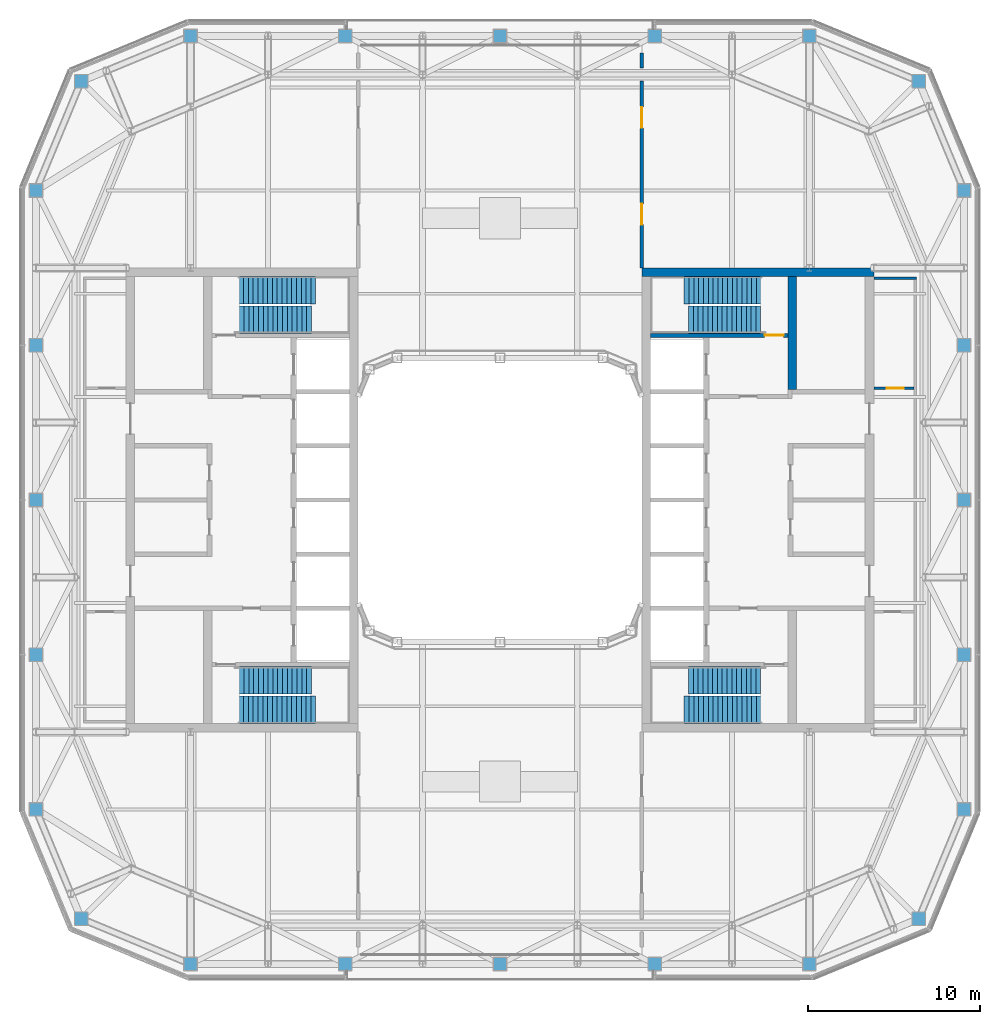
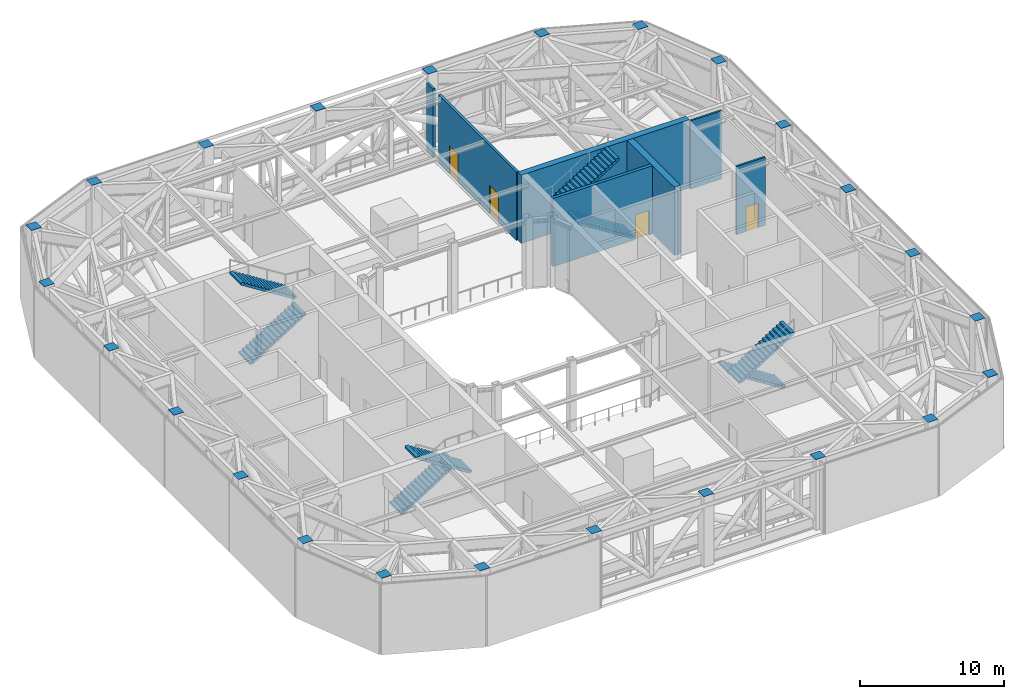
# One storey, part 13 of 21: 24 discrete accessories, 8 stair flights, 7 walls, 4 doors, 4 openings, 4 elements without a shape of their own.
"""IFC4 building model written with IfcOpenShell, lengths in metres."""

from ifc_helpers import new_model, si_unit, direction, frame, frame_2d, origin, origin_2d, place, context, subcontext, project, spatial, polyline, rectangle, outline, extrude, material, layer, layer_set, type_object, element, fill, aggregate, save


model = new_model("IFC4")

# Units and contexts
model_context = context("Model", 3, precision=1e-05, world=origin(), true_north=direction((0.0, 1.0)))
body_context = subcontext(model_context, "Body", "Model", "MODEL_VIEW")
ifc_project = project(units=[si_unit("LENGTHUNIT", "METRE"), si_unit("AREAUNIT", "SQUARE_METRE"), si_unit("VOLUMEUNIT", "CUBIC_METRE"), si_unit("PLANEANGLEUNIT", "RADIAN"), si_unit("MASSUNIT", "GRAM", prefix="KILO")], contexts=[model_context])

# Site, building, storey
site_placement = place(None, origin())
site = spatial("IfcSite", under=ifc_project, at=site_placement, CompositionType="ELEMENT")
building_placement = place(site_placement, origin())
building = spatial("IfcBuilding", under=site, at=building_placement, Name="Siwar Civic Tower", CompositionType="ELEMENT")
storey_placement = place(building_placement, frame((0.0, 0.0, 278.199951171875)))
storey = spatial("IfcBuildingStorey", under=building, at=storey_placement, Name="L60", CompositionType="ELEMENT", Elevation=278.199951171875)

# Wall, opening, door
ifc_material_1 = material(Name="Gypsum board on steel studs", Category="steel")
ifc_layer_1 = layer(ifc_material_1, 0.14990234375)
ifc_layer_set_1 = layer_set([ifc_layer_1], Name="Gypsum board on steel studs")
wall_type_1 = type_object("IfcWallType", Name="COMPARTMENT PARTITION 150 EI 60", PredefinedType="PARTITIONING", material=ifc_layer_set_1)
wall_1_placement = place(storey_placement, frame((21.75, 6.5, 0.0), z_axis=(0.0, 0.0, 1.0), x_axis=(1.0, 0.0, 0.0)))
wall_1 = element("IfcWall", 1, at=wall_1_placement, inside=storey, type_object=wall_type_1, Name="L60/wall/P06", PredefinedType="PARTITIONING", context=body_context, shape_type="SweptSolid", body=[
    extrude(rectangle(XDim=2.324951171875, YDim=0.14990234375, at=frame_2d((1.16259765625, 0.0))), origin(), (0.0, 0.0, 1.0), 5.800048828125),
])
opening_1_placement = place(wall_1_placement, frame((0.75, 0.0, 0.0)))
opening_1 = element("IfcOpeningElement", 2, at=opening_1_placement, cuts=wall_1, Name="Opening D1", PredefinedType="OPENING", context=body_context, shape_type="SweptSolid", body=[
    extrude(rectangle(XDim=1.0, YDim=2.10009765625, at=frame_2d((0.5, 1.050048828125))), frame((0.0, 0.0849609375, 0.0), z_axis=(0.0, -1.0, 0.0), x_axis=(1.0, 0.0, 0.0)), (0.0, 0.0, 1.0), 0.169921875),
])
ifc_material_2 = material(Name="Timber, painted", Category="wood")
door_type_1 = type_object("IfcDoorType", Name="DOOR 1000 X 2100 FD30", OperationType="SINGLE_SWING_LEFT", PredefinedType="DOOR", material=ifc_material_2)
door_1_placement = place(opening_1_placement, origin())
door_1 = element("IfcDoor", 3, at=door_1_placement, inside=storey, type_object=door_type_1, Name="L60-D01", OperationType="SINGLE_SWING_LEFT", OverallHeight=2.10009765625, OverallWidth=1.0, PredefinedType="DOOR", context=body_context, shape_type="SweptSolid", body=[
    extrude(rectangle(XDim=1.0, YDim=2.10009765625, at=frame_2d((0.5, 1.050048828125))), frame((0.0, 0.02490234375, 0.0), z_axis=(0.0, -1.0, 0.0), x_axis=(1.0, 0.0, 0.0)), (0.0, 0.0, 1.0), 0.050048828125),
])
fill(opening_1, door_1)

# Wall
wall_2_placement = place(storey_placement, frame((21.75, 12.89990234375, 0.0), z_axis=(0.0, 0.0, 1.0), x_axis=(1.0, 0.0, 0.0)))
element("IfcWall", 4, at=wall_2_placement, inside=storey, type_object=wall_type_1, Name="L60/wall/P08", PredefinedType="PARTITIONING", context=body_context, shape_type="SweptSolid", body=[
    extrude(rectangle(XDim=2.47509765625, YDim=0.14990234375, at=frame_2d((1.237548828125, 0.0))), origin(), (0.0, 0.0, 1.0), 5.800048828125),
])

# Wall, opening, door
ifc_material_3 = material(Name="Concrete C60/75", Category="concrete")
ifc_layer_2 = layer(ifc_material_3, 0.25)
ifc_layer_set_2 = layer_set([ifc_layer_2], Name="Concrete C60/75")
wall_type_2 = type_object("IfcWallType", Name="CORE-WALL-RC250", PredefinedType="SHEAR", material=ifc_layer_set_2)
wall_3_placement = place(storey_placement, frame((8.75, 9.574951171875, 0.0), z_axis=(0.0, 0.0, 1.0), x_axis=(1.0, 0.0, 0.0)))
wall_3 = element("IfcWall", 5, at=wall_3_placement, inside=storey, type_object=wall_type_2, Name="Core wall E", PredefinedType="SHEAR", context=body_context, shape_type="SweptSolid", body=[
    extrude(rectangle(XDim=8.0, YDim=0.25, at=frame_2d((4.0, 0.0))), origin(), (0.0, 0.0, 1.0), 5.800048828125),
])
opening_2_placement = place(wall_3_placement, frame((6.64990234375, 0.0, 0.0)))
opening_2 = element("IfcOpeningElement", 6, at=opening_2_placement, cuts=wall_3, Name="Opening L60-CE03", PredefinedType="OPENING", context=body_context, shape_type="SweptSolid", body=[
    extrude(rectangle(XDim=1.10009765625, YDim=2.10009765625, at=frame_2d((0.550048828125, 1.050048828125))), frame((0.0, 0.135009765625, 0.0), z_axis=(0.0, -1.0, 0.0), x_axis=(1.0, 0.0, 0.0)), (0.0, 0.0, 1.0), 0.27001953125),
])
ifc_material_4 = material(Name="Steel door leaf", Category="steel")
door_type_2 = type_object("IfcDoorType", Name="CORE-DOOR-FD60S", OperationType="SINGLE_SWING_LEFT", PredefinedType="DOOR", material=ifc_material_4)
door_2_placement = place(opening_2_placement, origin())
door_2 = element("IfcDoor", 7, at=door_2_placement, inside=storey, type_object=door_type_2, Name="Stair door L60-CE03", OperationType="SINGLE_SWING_LEFT", OverallHeight=2.10009765625, OverallWidth=1.10009765625, PredefinedType="DOOR", context=body_context, shape_type="SweptSolid", body=[
    extrude(rectangle(XDim=1.10009765625, YDim=2.10009765625, at=frame_2d((0.550048828125, 1.050048828125))), frame((0.0, 0.02490234375, 0.0), z_axis=(0.0, -1.0, 0.0), x_axis=(1.0, 0.0, 0.0)), (0.0, 0.0, 1.0), 0.050048828125),
])
fill(opening_2, door_2)

# Walls
ifc_material_5 = material(Name="Concrete C60/75", Category="concrete")
ifc_layer_3 = layer(ifc_material_5, 0.5)
ifc_layer_set_3 = layer_set([ifc_layer_3], Name="Concrete C60/75")
wall_type_3 = type_object("IfcWallType", Name="CORE-WALL-RC500", PredefinedType="SHEAR", material=ifc_layer_set_3)
wall_4_placement = place(storey_placement, frame((17.0, 6.425048828125, 0.0), z_axis=(0.0, 0.0, 1.0), x_axis=(0.0, 1.0, 0.0)))
element("IfcWall", 8, at=wall_4_placement, inside=storey, type_object=wall_type_3, Name="Core wall E", PredefinedType="SHEAR", context=body_context, shape_type="SweptSolid", body=[
    extrude(rectangle(XDim=6.574951171875, YDim=0.5, at=frame_2d((3.28759765625, 0.0))), origin(), (0.0, 0.0, 1.0), 5.800048828125),
])
wall_5_placement = place(storey_placement, frame((8.25, 13.25, 0.0), z_axis=(0.0, 0.0, 1.0), x_axis=(1.0, 0.0, 0.0)))
element("IfcWall", 9, at=wall_5_placement, inside=storey, type_object=wall_type_3, Name="Core wall E", PredefinedType="SHEAR", context=body_context, shape_type="SweptSolid", body=[
    extrude(rectangle(XDim=13.5, YDim=0.5, at=frame_2d((6.75, 0.0))), origin(), (0.0, 0.0, 1.0), 5.800048828125),
])

# Wall, openings, doors
ifc_material_6 = material(Name="Aluminium clad insulated panel", Category="aluminium")
ifc_layer_4 = layer(ifc_material_6, 0.199951171875)
ifc_layer_set_4 = layer_set([ifc_layer_4], Name="Aluminium clad insulated panel")
wall_type_4 = type_object("IfcWallType", Name="ENV-PORTAL WALL", PredefinedType="STANDARD", material=ifc_layer_set_4)
wall_6_placement = place(storey_placement, frame((8.25, 13.5, 0.0), z_axis=(0.0, 0.0, 1.0), x_axis=(0.0, 1.0, 0.0)))
wall_6 = element("IfcWall", 10, at=wall_6_placement, inside=storey, type_object=wall_type_4, Name="Sky portal closing wall NE", PredefinedType="STANDARD", context=body_context, shape_type="SweptSolid", body=[
    extrude(rectangle(XDim=10.864990234375, YDim=0.199951171875, at=frame_2d((5.4326171875, 0.0))), origin(), (0.0, 0.0, 1.0), 5.800048828125),
])
opening_3_placement = place(wall_6_placement, frame((2.52490234375, 0.0, 0.0)))
opening_3 = element("IfcOpeningElement", 11, at=opening_3_placement, cuts=wall_6, Name="Opening D-PT", PredefinedType="OPENING", context=body_context, shape_type="SweptSolid", body=[
    extrude(rectangle(XDim=1.199951171875, YDim=2.39990234375, at=frame_2d((0.60009765625, 1.199951171875))), frame((0.0, 0.10986328125, 0.0), z_axis=(0.0, -1.0, 0.0), x_axis=(1.0, 0.0, 0.0)), (0.0, 0.0, 1.0), 0.219970703125),
])
opening_4_placement = place(wall_6_placement, frame((8.14990234375, 0.0, 0.0)))
opening_4 = element("IfcOpeningElement", 12, at=opening_4_placement, cuts=wall_6, Name="Opening D-PT", PredefinedType="OPENING", context=body_context, shape_type="SweptSolid", body=[
    extrude(rectangle(XDim=1.199951171875, YDim=2.39990234375, at=frame_2d((0.60009765625, 1.199951171875))), frame((0.0, 0.10986328125, 0.0), z_axis=(0.0, -1.0, 0.0), x_axis=(1.0, 0.0, 0.0)), (0.0, 0.0, 1.0), 0.219970703125),
])
ifc_material_7 = material(Name="Aluminium and glass", Category="aluminium")
door_type_3 = type_object("IfcDoorType", Name="ENV-DOOR-PORTAL", OperationType="DOUBLE_DOOR_SINGLE_SWING", PredefinedType="DOOR", material=ifc_material_7)
door_3_placement = place(opening_3_placement, origin())
door_3 = element("IfcDoor", 13, at=door_3_placement, inside=storey, type_object=door_type_3, Name="Sky portal door NE 1", OperationType="DOUBLE_DOOR_SINGLE_SWING", OverallHeight=2.39990234375, OverallWidth=1.199951171875, PredefinedType="DOOR", context=body_context, shape_type="SweptSolid", body=[
    extrude(rectangle(XDim=1.199951171875, YDim=2.39990234375, at=frame_2d((0.60009765625, 1.199951171875))), frame((0.0, 0.02490234375, 0.0), z_axis=(0.0, -1.0, 0.0), x_axis=(1.0, 0.0, 0.0)), (0.0, 0.0, 1.0), 0.050048828125),
])
fill(opening_3, door_3)
door_4_placement = place(opening_4_placement, origin())
door_4 = element("IfcDoor", 14, at=door_4_placement, inside=storey, type_object=door_type_3, Name="Sky portal door NE 2", OperationType="DOUBLE_DOOR_SINGLE_SWING", OverallHeight=2.39990234375, OverallWidth=1.199951171875, PredefinedType="DOOR", context=body_context, shape_type="SweptSolid", body=[
    extrude(rectangle(XDim=1.199951171875, YDim=2.39990234375, at=frame_2d((0.60009765625, 1.199951171875))), frame((0.0, 0.02490234375, 0.0), z_axis=(0.0, -1.0, 0.0), x_axis=(1.0, 0.0, 0.0)), (0.0, 0.0, 1.0), 0.050048828125),
])
fill(opening_4, door_4)

# Wall
wall_7_placement = place(storey_placement, frame((8.25, 25.135009765625, 0.0), z_axis=(0.0, 0.0, 1.0), x_axis=(0.0, 1.0, 0.0)))
element("IfcWall", 15, at=wall_7_placement, inside=storey, type_object=wall_type_4, Name="Sky portal closing wall NE", PredefinedType="STANDARD", context=body_context, shape_type="SweptSolid", body=[
    extrude(rectangle(XDim=0.864990234375, YDim=0.199951171875, at=frame_2d((0.4326171875, 0.0))), origin(), (0.0, 0.0, 1.0), 5.800048828125),
])

# Stair, stair flights
ifc_material_8 = material(Name="Concrete C40/50", Category="concrete")
stair_type = type_object("IfcStairType", Name="CORE-STAIR", PredefinedType="TWO_STRAIGHT_RUN_STAIR", material=ifc_material_8)
stair_1_placement = place(storey_placement, origin())
stair_1 = element("IfcStair", 16, at=stair_1_placement, inside=storey, type_object=stair_type, Name="Exit stair ST1", PredefinedType="TWO_STRAIGHT_RUN_STAIR")
ifc_material_9 = material(Name="Concrete C40/50", Category="concrete")
stair_flight_type = type_object("IfcStairFlightType", Name="CORE-STAIR-FLIGHT", PredefinedType="STRAIGHT", material=ifc_material_9)
stair_flight_1_placement = place(storey_placement, frame((-15.449951171875, 10.5, 0.0), z_axis=(0.0, 0.0, 1.0), x_axis=(1.0, 0.0, 0.0)))
stair_flight_1 = element("IfcStairFlight", 17, at=stair_flight_1_placement, type_object=stair_flight_type, Name="ST1 flight 1", NumberOfRisers=17, NumberOfTreads=16, PredefinedType="STRAIGHT", RiserHeight=0.176470588, TreadLength=0.28, context=body_context, shape_type="SweptSolid", body=[
    extrude(outline(polyline([(0.0, 0.0), (0.0, 0.176513671875), (0.280029296875, 0.176513671875), (0.280029296875, 0.35302734375), (0.56005859375, 0.35302734375), (0.56005859375, 0.529296875), (0.840087890625, 0.529296875), (0.840087890625, 0.705810546875), (1.1201171875, 0.705810546875), (1.1201171875, 0.88232421875), (1.39990234375, 0.88232421875), (1.39990234375, 1.058837890625), (1.679931640625, 1.058837890625), (1.679931640625, 1.2353515625), (1.9599609375, 1.2353515625), (1.9599609375, 1.411865234375), (2.239990234375, 1.411865234375), (2.239990234375, 1.588134765625), (2.52001953125, 1.588134765625), (2.52001953125, 1.7646484375), (2.800048828125, 1.7646484375), (2.800048828125, 1.941162109375), (3.080078125, 1.941162109375), (3.080078125, 2.11767578125), (3.360107421875, 2.11767578125), (3.360107421875, 2.294189453125), (3.639892578125, 2.294189453125), (3.639892578125, 2.470703125), (3.919921875, 2.470703125), (3.919921875, 2.64697265625), (4.199951171875, 2.64697265625), (4.199951171875, 2.823486328125), (4.47998046875, 2.823486328125), (4.47998046875, 3.0), (4.47998046875, 2.646240234375), (0.28125, 0.0), (0.0, 0.0)])), frame((0.0, 0.800048828125, 0.0), z_axis=(0.0, -1.0, 0.0), x_axis=(1.0, 0.0, 0.0)), (0.0, 0.0, 1.0), 1.60009765625),
])
stair_flight_2_placement = place(storey_placement, frame((-10.719970703125, 12.199951171875, 3.0), z_axis=(0.0, 0.0, 1.0), x_axis=(-1.0, 0.0, 0.0)))
stair_flight_2 = element("IfcStairFlight", 18, at=stair_flight_2_placement, type_object=stair_flight_type, Name="ST1 flight 2", NumberOfRisers=17, NumberOfTreads=16, PredefinedType="STRAIGHT", RiserHeight=0.176470588, TreadLength=0.28, context=body_context, shape_type="SweptSolid", body=[
    extrude(outline(polyline([(0.0, 0.0), (0.0, 0.176513671875), (0.280029296875, 0.176513671875), (0.280029296875, 0.35302734375), (0.56005859375, 0.35302734375), (0.56005859375, 0.529296875), (0.840087890625, 0.529296875), (0.840087890625, 0.705810546875), (1.1201171875, 0.705810546875), (1.1201171875, 0.88232421875), (1.39990234375, 0.88232421875), (1.39990234375, 1.058837890625), (1.679931640625, 1.058837890625), (1.679931640625, 1.2353515625), (1.9599609375, 1.2353515625), (1.9599609375, 1.411865234375), (2.239990234375, 1.411865234375), (2.239990234375, 1.588134765625), (2.52001953125, 1.588134765625), (2.52001953125, 1.7646484375), (2.800048828125, 1.7646484375), (2.800048828125, 1.941162109375), (3.080078125, 1.941162109375), (3.080078125, 2.11767578125), (3.360107421875, 2.11767578125), (3.360107421875, 2.294189453125), (3.639892578125, 2.294189453125), (3.639892578125, 2.470703125), (3.919921875, 2.470703125), (3.919921875, 2.64697265625), (4.199951171875, 2.64697265625), (4.199951171875, 2.823486328125), (4.47998046875, 2.823486328125), (4.47998046875, 3.0), (4.47998046875, 2.646240234375), (0.28125, 0.0), (0.0, 0.0)])), frame((0.0, 0.800048828125, 0.0), z_axis=(0.0, -1.0, 0.0), x_axis=(1.0, 0.0, 0.0)), (0.0, 0.0, 1.0), 1.60009765625),
])
aggregate(stair_1, [stair_flight_1, stair_flight_2])

stair_2_placement = place(storey_placement, origin())
stair_2 = element("IfcStair", 19, at=stair_2_placement, inside=storey, type_object=stair_type, Name="Exit stair ST2", PredefinedType="TWO_STRAIGHT_RUN_STAIR")
stair_flight_3_placement = place(storey_placement, frame((-15.449951171875, -10.5, 0.0), z_axis=(0.0, 0.0, 1.0), x_axis=(1.0, 0.0, 0.0)))
stair_flight_3 = element("IfcStairFlight", 20, at=stair_flight_3_placement, type_object=stair_flight_type, Name="ST2 flight 1", NumberOfRisers=17, NumberOfTreads=16, PredefinedType="STRAIGHT", RiserHeight=0.176470588, TreadLength=0.28, context=body_context, shape_type="SweptSolid", body=[
    extrude(outline(polyline([(0.0, 0.0), (0.0, 0.176513671875), (0.280029296875, 0.176513671875), (0.280029296875, 0.35302734375), (0.56005859375, 0.35302734375), (0.56005859375, 0.529296875), (0.840087890625, 0.529296875), (0.840087890625, 0.705810546875), (1.1201171875, 0.705810546875), (1.1201171875, 0.88232421875), (1.39990234375, 0.88232421875), (1.39990234375, 1.058837890625), (1.679931640625, 1.058837890625), (1.679931640625, 1.2353515625), (1.9599609375, 1.2353515625), (1.9599609375, 1.411865234375), (2.239990234375, 1.411865234375), (2.239990234375, 1.588134765625), (2.52001953125, 1.588134765625), (2.52001953125, 1.7646484375), (2.800048828125, 1.7646484375), (2.800048828125, 1.941162109375), (3.080078125, 1.941162109375), (3.080078125, 2.11767578125), (3.360107421875, 2.11767578125), (3.360107421875, 2.294189453125), (3.639892578125, 2.294189453125), (3.639892578125, 2.470703125), (3.919921875, 2.470703125), (3.919921875, 2.64697265625), (4.199951171875, 2.64697265625), (4.199951171875, 2.823486328125), (4.47998046875, 2.823486328125), (4.47998046875, 3.0), (4.47998046875, 2.646240234375), (0.28125, 0.0), (0.0, 0.0)])), frame((0.0, 0.800048828125, 0.0), z_axis=(0.0, -1.0, 0.0), x_axis=(1.0, 0.0, 0.0)), (0.0, 0.0, 1.0), 1.60009765625),
])
stair_flight_4_placement = place(storey_placement, frame((-10.719970703125, -12.199951171875, 3.0), z_axis=(0.0, 0.0, 1.0), x_axis=(-1.0, 0.0, 0.0)))
stair_flight_4 = element("IfcStairFlight", 21, at=stair_flight_4_placement, type_object=stair_flight_type, Name="ST2 flight 2", NumberOfRisers=17, NumberOfTreads=16, PredefinedType="STRAIGHT", RiserHeight=0.176470588, TreadLength=0.28, context=body_context, shape_type="SweptSolid", body=[
    extrude(outline(polyline([(0.0, 0.0), (0.0, 0.176513671875), (0.280029296875, 0.176513671875), (0.280029296875, 0.35302734375), (0.56005859375, 0.35302734375), (0.56005859375, 0.529296875), (0.840087890625, 0.529296875), (0.840087890625, 0.705810546875), (1.1201171875, 0.705810546875), (1.1201171875, 0.88232421875), (1.39990234375, 0.88232421875), (1.39990234375, 1.058837890625), (1.679931640625, 1.058837890625), (1.679931640625, 1.2353515625), (1.9599609375, 1.2353515625), (1.9599609375, 1.411865234375), (2.239990234375, 1.411865234375), (2.239990234375, 1.588134765625), (2.52001953125, 1.588134765625), (2.52001953125, 1.7646484375), (2.800048828125, 1.7646484375), (2.800048828125, 1.941162109375), (3.080078125, 1.941162109375), (3.080078125, 2.11767578125), (3.360107421875, 2.11767578125), (3.360107421875, 2.294189453125), (3.639892578125, 2.294189453125), (3.639892578125, 2.470703125), (3.919921875, 2.470703125), (3.919921875, 2.64697265625), (4.199951171875, 2.64697265625), (4.199951171875, 2.823486328125), (4.47998046875, 2.823486328125), (4.47998046875, 3.0), (4.47998046875, 2.646240234375), (0.28125, 0.0), (0.0, 0.0)])), frame((0.0, 0.800048828125, 0.0), z_axis=(0.0, -1.0, 0.0), x_axis=(1.0, 0.0, 0.0)), (0.0, 0.0, 1.0), 1.60009765625),
])
aggregate(stair_2, [stair_flight_3, stair_flight_4])

stair_3_placement = place(storey_placement, origin())
stair_3 = element("IfcStair", 22, at=stair_3_placement, inside=storey, type_object=stair_type, Name="Exit stair ST3", PredefinedType="TWO_STRAIGHT_RUN_STAIR")
stair_flight_5_placement = place(storey_placement, frame((15.449951171875, 10.5, 0.0), z_axis=(0.0, 0.0, 1.0), x_axis=(-1.0, 0.0, 0.0)))
stair_flight_5 = element("IfcStairFlight", 23, at=stair_flight_5_placement, type_object=stair_flight_type, Name="ST3 flight 1", NumberOfRisers=17, NumberOfTreads=16, PredefinedType="STRAIGHT", RiserHeight=0.176470588, TreadLength=0.28, context=body_context, shape_type="SweptSolid", body=[
    extrude(outline(polyline([(0.0, 0.0), (0.0, 0.176513671875), (0.280029296875, 0.176513671875), (0.280029296875, 0.35302734375), (0.56005859375, 0.35302734375), (0.56005859375, 0.529296875), (0.840087890625, 0.529296875), (0.840087890625, 0.705810546875), (1.1201171875, 0.705810546875), (1.1201171875, 0.88232421875), (1.39990234375, 0.88232421875), (1.39990234375, 1.058837890625), (1.679931640625, 1.058837890625), (1.679931640625, 1.2353515625), (1.9599609375, 1.2353515625), (1.9599609375, 1.411865234375), (2.239990234375, 1.411865234375), (2.239990234375, 1.588134765625), (2.52001953125, 1.588134765625), (2.52001953125, 1.7646484375), (2.800048828125, 1.7646484375), (2.800048828125, 1.941162109375), (3.080078125, 1.941162109375), (3.080078125, 2.11767578125), (3.360107421875, 2.11767578125), (3.360107421875, 2.294189453125), (3.639892578125, 2.294189453125), (3.639892578125, 2.470703125), (3.919921875, 2.470703125), (3.919921875, 2.64697265625), (4.199951171875, 2.64697265625), (4.199951171875, 2.823486328125), (4.47998046875, 2.823486328125), (4.47998046875, 3.0), (4.47998046875, 2.646240234375), (0.28125, 0.0), (0.0, 0.0)])), frame((0.0, 0.800048828125, 0.0), z_axis=(0.0, -1.0, 0.0), x_axis=(1.0, 0.0, 0.0)), (0.0, 0.0, 1.0), 1.60009765625),
])
stair_flight_6_placement = place(storey_placement, frame((10.719970703125, 12.199951171875, 3.0), z_axis=(0.0, 0.0, 1.0), x_axis=(1.0, 0.0, 0.0)))
stair_flight_6 = element("IfcStairFlight", 24, at=stair_flight_6_placement, type_object=stair_flight_type, Name="ST3 flight 2", NumberOfRisers=17, NumberOfTreads=16, PredefinedType="STRAIGHT", RiserHeight=0.176470588, TreadLength=0.28, context=body_context, shape_type="SweptSolid", body=[
    extrude(outline(polyline([(0.0, 0.0), (0.0, 0.176513671875), (0.280029296875, 0.176513671875), (0.280029296875, 0.35302734375), (0.56005859375, 0.35302734375), (0.56005859375, 0.529296875), (0.840087890625, 0.529296875), (0.840087890625, 0.705810546875), (1.1201171875, 0.705810546875), (1.1201171875, 0.88232421875), (1.39990234375, 0.88232421875), (1.39990234375, 1.058837890625), (1.679931640625, 1.058837890625), (1.679931640625, 1.2353515625), (1.9599609375, 1.2353515625), (1.9599609375, 1.411865234375), (2.239990234375, 1.411865234375), (2.239990234375, 1.588134765625), (2.52001953125, 1.588134765625), (2.52001953125, 1.7646484375), (2.800048828125, 1.7646484375), (2.800048828125, 1.941162109375), (3.080078125, 1.941162109375), (3.080078125, 2.11767578125), (3.360107421875, 2.11767578125), (3.360107421875, 2.294189453125), (3.639892578125, 2.294189453125), (3.639892578125, 2.470703125), (3.919921875, 2.470703125), (3.919921875, 2.64697265625), (4.199951171875, 2.64697265625), (4.199951171875, 2.823486328125), (4.47998046875, 2.823486328125), (4.47998046875, 3.0), (4.47998046875, 2.646240234375), (0.28125, 0.0), (0.0, 0.0)])), frame((0.0, 0.800048828125, 0.0), z_axis=(0.0, -1.0, 0.0), x_axis=(1.0, 0.0, 0.0)), (0.0, 0.0, 1.0), 1.60009765625),
])
aggregate(stair_3, [stair_flight_5, stair_flight_6])

stair_4_placement = place(storey_placement, origin())
stair_4 = element("IfcStair", 25, at=stair_4_placement, inside=storey, type_object=stair_type, Name="Exit stair ST4", PredefinedType="TWO_STRAIGHT_RUN_STAIR")
stair_flight_7_placement = place(storey_placement, frame((15.449951171875, -10.5, 0.0), z_axis=(0.0, 0.0, 1.0), x_axis=(-1.0, 0.0, 0.0)))
stair_flight_7 = element("IfcStairFlight", 26, at=stair_flight_7_placement, type_object=stair_flight_type, Name="ST4 flight 1", NumberOfRisers=17, NumberOfTreads=16, PredefinedType="STRAIGHT", RiserHeight=0.176470588, TreadLength=0.28, context=body_context, shape_type="SweptSolid", body=[
    extrude(outline(polyline([(0.0, 0.0), (0.0, 0.176513671875), (0.280029296875, 0.176513671875), (0.280029296875, 0.35302734375), (0.56005859375, 0.35302734375), (0.56005859375, 0.529296875), (0.840087890625, 0.529296875), (0.840087890625, 0.705810546875), (1.1201171875, 0.705810546875), (1.1201171875, 0.88232421875), (1.39990234375, 0.88232421875), (1.39990234375, 1.058837890625), (1.679931640625, 1.058837890625), (1.679931640625, 1.2353515625), (1.9599609375, 1.2353515625), (1.9599609375, 1.411865234375), (2.239990234375, 1.411865234375), (2.239990234375, 1.588134765625), (2.52001953125, 1.588134765625), (2.52001953125, 1.7646484375), (2.800048828125, 1.7646484375), (2.800048828125, 1.941162109375), (3.080078125, 1.941162109375), (3.080078125, 2.11767578125), (3.360107421875, 2.11767578125), (3.360107421875, 2.294189453125), (3.639892578125, 2.294189453125), (3.639892578125, 2.470703125), (3.919921875, 2.470703125), (3.919921875, 2.64697265625), (4.199951171875, 2.64697265625), (4.199951171875, 2.823486328125), (4.47998046875, 2.823486328125), (4.47998046875, 3.0), (4.47998046875, 2.646240234375), (0.28125, 0.0), (0.0, 0.0)])), frame((0.0, 0.800048828125, 0.0), z_axis=(0.0, -1.0, 0.0), x_axis=(1.0, 0.0, 0.0)), (0.0, 0.0, 1.0), 1.60009765625),
])
stair_flight_8_placement = place(storey_placement, frame((10.719970703125, -12.199951171875, 3.0), z_axis=(0.0, 0.0, 1.0), x_axis=(1.0, 0.0, 0.0)))
stair_flight_8 = element("IfcStairFlight", 27, at=stair_flight_8_placement, type_object=stair_flight_type, Name="ST4 flight 2", NumberOfRisers=17, NumberOfTreads=16, PredefinedType="STRAIGHT", RiserHeight=0.176470588, TreadLength=0.28, context=body_context, shape_type="SweptSolid", body=[
    extrude(outline(polyline([(0.0, 0.0), (0.0, 0.176513671875), (0.280029296875, 0.176513671875), (0.280029296875, 0.35302734375), (0.56005859375, 0.35302734375), (0.56005859375, 0.529296875), (0.840087890625, 0.529296875), (0.840087890625, 0.705810546875), (1.1201171875, 0.705810546875), (1.1201171875, 0.88232421875), (1.39990234375, 0.88232421875), (1.39990234375, 1.058837890625), (1.679931640625, 1.058837890625), (1.679931640625, 1.2353515625), (1.9599609375, 1.2353515625), (1.9599609375, 1.411865234375), (2.239990234375, 1.411865234375), (2.239990234375, 1.588134765625), (2.52001953125, 1.588134765625), (2.52001953125, 1.7646484375), (2.800048828125, 1.7646484375), (2.800048828125, 1.941162109375), (3.080078125, 1.941162109375), (3.080078125, 2.11767578125), (3.360107421875, 2.11767578125), (3.360107421875, 2.294189453125), (3.639892578125, 2.294189453125), (3.639892578125, 2.470703125), (3.919921875, 2.470703125), (3.919921875, 2.64697265625), (4.199951171875, 2.64697265625), (4.199951171875, 2.823486328125), (4.47998046875, 2.823486328125), (4.47998046875, 3.0), (4.47998046875, 2.646240234375), (0.28125, 0.0), (0.0, 0.0)])), frame((0.0, 0.800048828125, 0.0), z_axis=(0.0, -1.0, 0.0), x_axis=(1.0, 0.0, 0.0)), (0.0, 0.0, 1.0), 1.60009765625),
])
aggregate(stair_4, [stair_flight_7, stair_flight_8])

# Discrete accessories
ifc_material_10 = material(Name="Steel S355", Category="steel")
ifc_layer_5 = layer(ifc_material_10, 0.02001953125)
ifc_layer_set_5 = layer_set([ifc_layer_5], Name="Steel S355")
discrete_accessory_type = type_object("IfcDiscreteAccessoryType", Name="STR-END-CAP", PredefinedType="USERDEFINED", material=ifc_layer_set_5)
for number, where, z_axis, x_axis, name in (
    (28, (-18.0, -27.0, 6.0), (0.0, 0.0, 1.0), (1.0, 0.0, 0.0), "End cap plate L60 col S-0"),
    (29, (-9.0, -27.0, 6.0), (0.0, 0.0, 1.0), (1.0, 0.0, 0.0), "End cap plate L60 col S-1"),
    (30, (0.0, -27.0, 6.0), (0.0, 0.0, 1.0), (1.0, 0.0, 0.0), "End cap plate L60 col S-2"),
    (31, (9.0, -27.0, 6.0), (0.0, 0.0, 1.0), (1.0, 0.0, 0.0), "End cap plate L60 col S-3"),
    (32, (18.0, -27.0, 6.0), (0.0, 0.0, 1.0), (1.0, 0.0, 0.0), "End cap plate L60 col SE1-0"),
    (33, (24.364013671875, -24.364013671875, 6.0), (0.0, 0.0, 1.0), (1.0, 0.0, 0.0), "End cap plate L60 col SE2-0"),
    (34, (27.0, -18.0, 6.0), (0.0, 0.0, 1.0), (1.0, 0.0, 0.0), "End cap plate L60 col E-0"),
    (35, (27.0, -9.0, 6.0), (0.0, 0.0, 1.0), (1.0, 0.0, 0.0), "End cap plate L60 col E-1"),
    (36, (27.0, 0.0, 6.0), (0.0, 0.0, 1.0), (1.0, 0.0, 0.0), "End cap plate L60 col E-2"),
    (37, (27.0, 9.0, 6.0), (0.0, 0.0, 1.0), (1.0, 0.0, 0.0), "End cap plate L60 col E-3"),
    (38, (27.0, 18.0, 6.0), (0.0, 0.0, 1.0), (1.0, 0.0, 0.0), "End cap plate L60 col NE1-0"),
    (39, (24.364013671875, 24.364013671875, 6.0), (0.0, 0.0, 1.0), (1.0, 0.0, 0.0), "End cap plate L60 col NE2-0"),
    (40, (18.0, 27.0, 6.0), (0.0, 0.0, 1.0), (1.0, 0.0, 0.0), "End cap plate L60 col N-0"),
    (41, (9.0, 27.0, 6.0), (0.0, 0.0, 1.0), (1.0, 0.0, 0.0), "End cap plate L60 col N-1"),
    (42, (0.0, 27.0, 6.0), (0.0, 0.0, 1.0), (1.0, 0.0, 0.0), "End cap plate L60 col N-2"),
    (43, (-9.0, 27.0, 6.0), (0.0, 0.0, 1.0), (1.0, 0.0, 0.0), "End cap plate L60 col N-3"),
    (44, (-18.0, 27.0, 6.0), (0.0, 0.0, 1.0), (1.0, 0.0, 0.0), "End cap plate L60 col NW1-0"),
    (45, (-24.364013671875, 24.364013671875, 6.0), (0.0, 0.0, 1.0), (1.0, 0.0, 0.0), "End cap plate L60 col NW2-0"),
    (46, (-27.0, 18.0, 6.0), (0.0, 0.0, 1.0), (1.0, 0.0, 0.0), "End cap plate L60 col W-0"),
    (47, (-27.0, 9.0, 6.0), (0.0, 0.0, 1.0), (1.0, 0.0, 0.0), "End cap plate L60 col W-1"),
    (48, (-27.0, 0.0, 6.0), (0.0, 0.0, 1.0), (1.0, 0.0, 0.0), "End cap plate L60 col W-2"),
    (49, (-27.0, -9.0, 6.0), (0.0, 0.0, 1.0), (1.0, 0.0, 0.0), "End cap plate L60 col W-3"),
    (50, (-27.0, -18.0, 6.0), (0.0, 0.0, 1.0), (1.0, 0.0, 0.0), "End cap plate L60 col SW1-0"),
    (51, (-24.364013671875, -24.364013671875, 6.0), (0.0, 0.0, 1.0), (1.0, 0.0, 0.0), "End cap plate L60 col SW2-0"),
):
    element("IfcDiscreteAccessory", number, at=place(storey_placement, frame(where, z_axis=z_axis, x_axis=x_axis)), inside=storey, type_object=discrete_accessory_type, Name=name, ObjectType="END CAP PLATE", PredefinedType="USERDEFINED", context=body_context, shape_type="SweptSolid", body=[
        extrude(rectangle(XDim=0.800048828125, YDim=0.800048828125, at=origin_2d()), origin(), (0.0, 0.0, 1.0), 0.02001953125),
    ])

save(model, "model.ifc")
